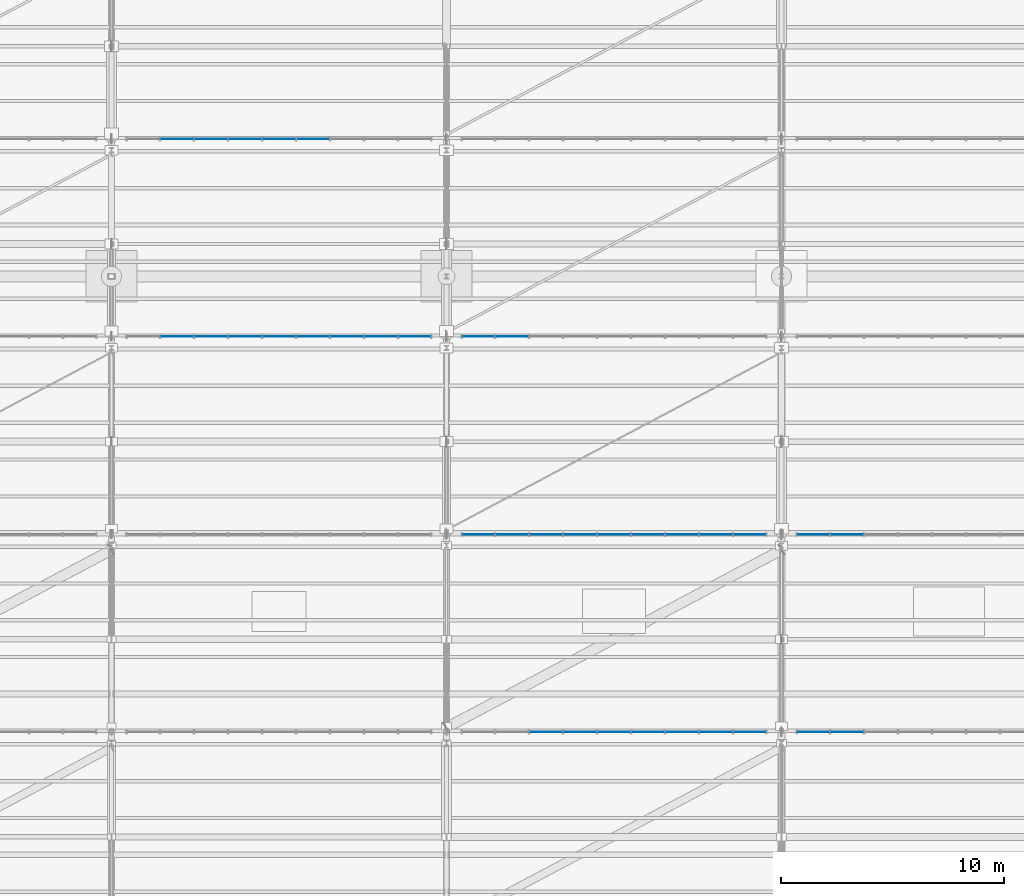
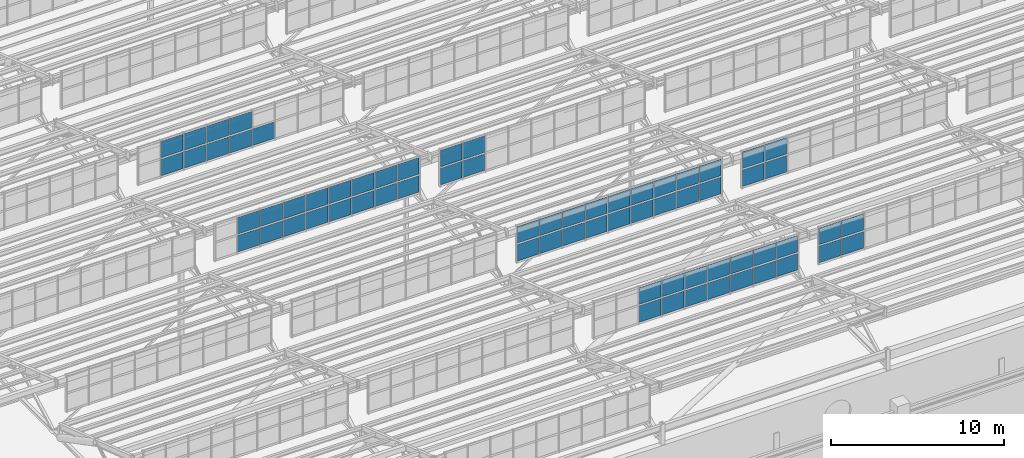
# One storey, part 166 of 285: 69 plates, 7 elements without a shape of their own.
"""IFC4 building model written with IfcOpenShell, lengths in metres."""

from ifc_helpers import new_model, si_unit, direction, frame, origin, origin_2d, place, context, subcontext, project, spatial, rectangle, extrude, material, layer, layer_set, type_object, element, aggregate, save


model = new_model("IFC4")

# Units and contexts
model_context = context("Model", 3, precision=1e-05, world=origin(), true_north=direction((0.0, 1.0)))
body_context = subcontext(model_context, "Body", "Model", "MODEL_VIEW")
ifc_project = project(units=[si_unit("LENGTHUNIT", "METRE"), si_unit("AREAUNIT", "SQUARE_METRE"), si_unit("VOLUMEUNIT", "CUBIC_METRE"), si_unit("PLANEANGLEUNIT", "RADIAN"), si_unit("MASSUNIT", "GRAM", prefix="KILO")], contexts=[model_context])

# Site, building, storey
site_placement = place(None, origin())
site = spatial("IfcSite", under=ifc_project, at=site_placement, CompositionType="ELEMENT")
building_placement = place(site_placement, origin())
building = spatial("IfcBuilding", under=site, at=building_placement, Name="Solanera Park Tramway Depot", CompositionType="ELEMENT")
storey_placement = place(building_placement, origin())
storey = spatial("IfcBuildingStorey", under=building, at=storey_placement, Name="L00", CompositionType="ELEMENT", Elevation=0.0)

# Curtain wall, plates
ifc_material_1 = material(Name="Bronze-anodised thermally broken aluminium curtain wall", Category="aluminium")
curtain_wall_type = type_object("IfcCurtainWallType", Name="Sawtooth Clerestory Monitor Curtain Wall", PredefinedType="NOTDEFINED", material=ifc_material_1)
curtain_wall_1_placement = place(storey_placement, origin())
curtain_wall_1 = element("IfcCurtainWall", 1, at=curtain_wall_1_placement, inside=storey, type_object=curtain_wall_type, Name="L00 Sawtooth Clerestory Monitor Curtain Wall #006", PredefinedType="NOTDEFINED")
ifc_material_2 = material(Name="Low-E laminated solar-control double glazing", Category="glass")
ifc_layer = layer(ifc_material_2, 0.028076171875)
ifc_layer_set = layer_set([ifc_layer], Name="Low-E laminated solar-control double glazing")
plate_type = type_object("IfcPlateType", Name="Curtain Wall Double Glazing Panel 28", PredefinedType="CURTAIN_PANEL", material=ifc_layer_set)
plate_1_placement = place(storey_placement, frame((49.45556640625, 64.60009765625, 7.862060546875), z_axis=(0.0, 0.0, 1.0), x_axis=(1.0, 0.0, 0.0)))
plate_1 = element("IfcPlate", 2, at=plate_1_placement, type_object=plate_type, Name="CW-L00-006 Glazing Panel R1.C3", PredefinedType="CURTAIN_PANEL", context=body_context, shape_type="SweptSolid", body=[
    extrude(rectangle(XDim=1.47021484375, YDim=0.028076171875, at=origin_2d()), origin(), (0.0, 0.0, 1.0), 1.16650390625),
])
plate_2_placement = place(storey_placement, frame((50.977783203125, 64.60009765625, 7.862060546875), z_axis=(0.0, 0.0, 1.0), x_axis=(1.0, 0.0, 0.0)))
plate_2 = element("IfcPlate", 3, at=plate_2_placement, type_object=plate_type, Name="CW-L00-006 Glazing Panel R1.C4", PredefinedType="CURTAIN_PANEL", context=body_context, shape_type="SweptSolid", body=[
    extrude(rectangle(XDim=1.47021484375, YDim=0.028076171875, at=origin_2d()), origin(), (0.0, 0.0, 1.0), 1.16650390625),
])
plate_3_placement = place(storey_placement, frame((52.5, 64.60009765625, 7.862060546875), z_axis=(0.0, 0.0, 1.0), x_axis=(1.0, 0.0, 0.0)))
plate_3 = element("IfcPlate", 4, at=plate_3_placement, type_object=plate_type, Name="CW-L00-006 Glazing Panel R1.C5", PredefinedType="CURTAIN_PANEL", context=body_context, shape_type="SweptSolid", body=[
    extrude(rectangle(XDim=1.47021484375, YDim=0.028076171875, at=origin_2d()), origin(), (0.0, 0.0, 1.0), 1.16650390625),
])
plate_4_placement = place(storey_placement, frame((54.022216796875, 64.60009765625, 7.862060546875), z_axis=(0.0, 0.0, 1.0), x_axis=(1.0, 0.0, 0.0)))
plate_4 = element("IfcPlate", 5, at=plate_4_placement, type_object=plate_type, Name="CW-L00-006 Glazing Panel R1.C6", PredefinedType="CURTAIN_PANEL", context=body_context, shape_type="SweptSolid", body=[
    extrude(rectangle(XDim=1.47021484375, YDim=0.028076171875, at=origin_2d()), origin(), (0.0, 0.0, 1.0), 1.16650390625),
])
plate_5_placement = place(storey_placement, frame((55.54443359375, 64.60009765625, 7.862060546875), z_axis=(0.0, 0.0, 1.0), x_axis=(1.0, 0.0, 0.0)))
plate_5 = element("IfcPlate", 6, at=plate_5_placement, type_object=plate_type, Name="CW-L00-006 Glazing Panel R1.C7", PredefinedType="CURTAIN_PANEL", context=body_context, shape_type="SweptSolid", body=[
    extrude(rectangle(XDim=1.47021484375, YDim=0.028076171875, at=origin_2d()), origin(), (0.0, 0.0, 1.0), 1.16650390625),
])
plate_6_placement = place(storey_placement, frame((57.066650390625, 64.60009765625, 7.862060546875), z_axis=(0.0, 0.0, 1.0), x_axis=(1.0, 0.0, 0.0)))
plate_6 = element("IfcPlate", 7, at=plate_6_placement, type_object=plate_type, Name="CW-L00-006 Glazing Panel R1.C8", PredefinedType="CURTAIN_PANEL", context=body_context, shape_type="SweptSolid", body=[
    extrude(rectangle(XDim=1.47021484375, YDim=0.028076171875, at=origin_2d()), origin(), (0.0, 0.0, 1.0), 1.16650390625),
])
plate_7_placement = place(storey_placement, frame((58.572509765625, 64.60009765625, 7.862060546875), z_axis=(0.0, 0.0, 1.0), x_axis=(1.0, 0.0, 0.0)))
plate_7 = element("IfcPlate", 8, at=plate_7_placement, type_object=plate_type, Name="CW-L00-006 Glazing Panel R1.C9", PredefinedType="CURTAIN_PANEL", context=body_context, shape_type="SweptSolid", body=[
    extrude(rectangle(XDim=1.437744140625, YDim=0.028076171875, at=origin_2d()), origin(), (0.0, 0.0, 1.0), 1.16650390625),
])
plate_8_placement = place(storey_placement, frame((49.45556640625, 64.60009765625, 9.132568359375), z_axis=(0.0, 0.0, 1.0), x_axis=(1.0, 0.0, 0.0)))
plate_8 = element("IfcPlate", 9, at=plate_8_placement, type_object=plate_type, Name="CW-L00-006 Glazing Panel R2.C3", PredefinedType="CURTAIN_PANEL", context=body_context, shape_type="SweptSolid", body=[
    extrude(rectangle(XDim=1.47021484375, YDim=0.028076171875, at=origin_2d()), origin(), (0.0, 0.0, 1.0), 1.16650390625),
])
plate_9_placement = place(storey_placement, frame((50.977783203125, 64.60009765625, 9.132568359375), z_axis=(0.0, 0.0, 1.0), x_axis=(1.0, 0.0, 0.0)))
plate_9 = element("IfcPlate", 10, at=plate_9_placement, type_object=plate_type, Name="CW-L00-006 Glazing Panel R2.C4", PredefinedType="CURTAIN_PANEL", context=body_context, shape_type="SweptSolid", body=[
    extrude(rectangle(XDim=1.47021484375, YDim=0.028076171875, at=origin_2d()), origin(), (0.0, 0.0, 1.0), 1.16650390625),
])
plate_10_placement = place(storey_placement, frame((52.5, 64.60009765625, 9.132568359375), z_axis=(0.0, 0.0, 1.0), x_axis=(1.0, 0.0, 0.0)))
plate_10 = element("IfcPlate", 11, at=plate_10_placement, type_object=plate_type, Name="CW-L00-006 Glazing Panel R2.C5", PredefinedType="CURTAIN_PANEL", context=body_context, shape_type="SweptSolid", body=[
    extrude(rectangle(XDim=1.47021484375, YDim=0.028076171875, at=origin_2d()), origin(), (0.0, 0.0, 1.0), 1.16650390625),
])
plate_11_placement = place(storey_placement, frame((54.022216796875, 64.60009765625, 9.132568359375), z_axis=(0.0, 0.0, 1.0), x_axis=(1.0, 0.0, 0.0)))
plate_11 = element("IfcPlate", 12, at=plate_11_placement, type_object=plate_type, Name="CW-L00-006 Glazing Panel R2.C6", PredefinedType="CURTAIN_PANEL", context=body_context, shape_type="SweptSolid", body=[
    extrude(rectangle(XDim=1.47021484375, YDim=0.028076171875, at=origin_2d()), origin(), (0.0, 0.0, 1.0), 1.16650390625),
])
plate_12_placement = place(storey_placement, frame((55.54443359375, 64.60009765625, 9.132568359375), z_axis=(0.0, 0.0, 1.0), x_axis=(1.0, 0.0, 0.0)))
plate_12 = element("IfcPlate", 13, at=plate_12_placement, type_object=plate_type, Name="CW-L00-006 Glazing Panel R2.C7", PredefinedType="CURTAIN_PANEL", context=body_context, shape_type="SweptSolid", body=[
    extrude(rectangle(XDim=1.47021484375, YDim=0.028076171875, at=origin_2d()), origin(), (0.0, 0.0, 1.0), 1.16650390625),
])
plate_13_placement = place(storey_placement, frame((57.066650390625, 64.60009765625, 9.132568359375), z_axis=(0.0, 0.0, 1.0), x_axis=(1.0, 0.0, 0.0)))
plate_13 = element("IfcPlate", 14, at=plate_13_placement, type_object=plate_type, Name="CW-L00-006 Glazing Panel R2.C8", PredefinedType="CURTAIN_PANEL", context=body_context, shape_type="SweptSolid", body=[
    extrude(rectangle(XDim=1.47021484375, YDim=0.028076171875, at=origin_2d()), origin(), (0.0, 0.0, 1.0), 1.16650390625),
])
plate_14_placement = place(storey_placement, frame((58.572509765625, 64.60009765625, 9.132568359375), z_axis=(0.0, 0.0, 1.0), x_axis=(1.0, 0.0, 0.0)))
plate_14 = element("IfcPlate", 15, at=plate_14_placement, type_object=plate_type, Name="CW-L00-006 Glazing Panel R2.C9", PredefinedType="CURTAIN_PANEL", context=body_context, shape_type="SweptSolid", body=[
    extrude(rectangle(XDim=1.437744140625, YDim=0.028076171875, at=origin_2d()), origin(), (0.0, 0.0, 1.0), 1.16650390625),
])
aggregate(curtain_wall_1, [plate_1, plate_2, plate_3, plate_4, plate_5, plate_6, plate_7, plate_8, plate_9, plate_10, plate_11, plate_12, plate_13, plate_14])

curtain_wall_2_placement = place(storey_placement, origin())
curtain_wall_2 = element("IfcCurtainWall", 16, at=curtain_wall_2_placement, inside=storey, type_object=curtain_wall_type, Name="L00 Sawtooth Clerestory Monitor Curtain Wall #007", PredefinedType="NOTDEFINED")
plate_15_placement = place(storey_placement, frame((61.427490234375, 64.60009765625, 7.862060546875), z_axis=(0.0, 0.0, 1.0), x_axis=(1.0, 0.0, 0.0)))
plate_15 = element("IfcPlate", 17, at=plate_15_placement, type_object=plate_type, Name="CW-L00-007 Glazing Panel R1.C1", PredefinedType="CURTAIN_PANEL", context=body_context, shape_type="SweptSolid", body=[
    extrude(rectangle(XDim=1.437744140625, YDim=0.028076171875, at=origin_2d()), origin(), (0.0, 0.0, 1.0), 1.16650390625),
])
plate_16_placement = place(storey_placement, frame((62.933349609375, 64.60009765625, 7.862060546875), z_axis=(0.0, 0.0, 1.0), x_axis=(1.0, 0.0, 0.0)))
plate_16 = element("IfcPlate", 18, at=plate_16_placement, type_object=plate_type, Name="CW-L00-007 Glazing Panel R1.C2", PredefinedType="CURTAIN_PANEL", context=body_context, shape_type="SweptSolid", body=[
    extrude(rectangle(XDim=1.47021484375, YDim=0.028076171875, at=origin_2d()), origin(), (0.0, 0.0, 1.0), 1.16650390625),
])
plate_17_placement = place(storey_placement, frame((61.427490234375, 64.60009765625, 9.132568359375), z_axis=(0.0, 0.0, 1.0), x_axis=(1.0, 0.0, 0.0)))
plate_17 = element("IfcPlate", 19, at=plate_17_placement, type_object=plate_type, Name="CW-L00-007 Glazing Panel R2.C1", PredefinedType="CURTAIN_PANEL", context=body_context, shape_type="SweptSolid", body=[
    extrude(rectangle(XDim=1.437744140625, YDim=0.028076171875, at=origin_2d()), origin(), (0.0, 0.0, 1.0), 1.16650390625),
])
plate_18_placement = place(storey_placement, frame((62.933349609375, 64.60009765625, 9.132568359375), z_axis=(0.0, 0.0, 1.0), x_axis=(1.0, 0.0, 0.0)))
plate_18 = element("IfcPlate", 20, at=plate_18_placement, type_object=plate_type, Name="CW-L00-007 Glazing Panel R2.C2", PredefinedType="CURTAIN_PANEL", context=body_context, shape_type="SweptSolid", body=[
    extrude(rectangle(XDim=1.47021484375, YDim=0.028076171875, at=origin_2d()), origin(), (0.0, 0.0, 1.0), 1.16650390625),
])
aggregate(curtain_wall_2, [plate_15, plate_16, plate_17, plate_18])

curtain_wall_3_placement = place(storey_placement, origin())
curtain_wall_3 = element("IfcCurtainWall", 21, at=curtain_wall_3_placement, inside=storey, type_object=curtain_wall_type, Name="L00 Sawtooth Clerestory Monitor Curtain Wall #014", PredefinedType="NOTDEFINED")
plate_19_placement = place(storey_placement, frame((46.427490234375, 73.449951171875, 7.862060546875), z_axis=(0.0, 0.0, 1.0), x_axis=(1.0, 0.0, 0.0)))
plate_19 = element("IfcPlate", 22, at=plate_19_placement, type_object=plate_type, Name="CW-L00-014 Glazing Panel R1.C1", PredefinedType="CURTAIN_PANEL", context=body_context, shape_type="SweptSolid", body=[
    extrude(rectangle(XDim=1.437744140625, YDim=0.028076171875, at=origin_2d()), origin(), (0.0, 0.0, 1.0), 1.16650390625),
])
plate_20_placement = place(storey_placement, frame((47.933349609375, 73.449951171875, 7.862060546875), z_axis=(0.0, 0.0, 1.0), x_axis=(1.0, 0.0, 0.0)))
plate_20 = element("IfcPlate", 23, at=plate_20_placement, type_object=plate_type, Name="CW-L00-014 Glazing Panel R1.C2", PredefinedType="CURTAIN_PANEL", context=body_context, shape_type="SweptSolid", body=[
    extrude(rectangle(XDim=1.47021484375, YDim=0.028076171875, at=origin_2d()), origin(), (0.0, 0.0, 1.0), 1.16650390625),
])
plate_21_placement = place(storey_placement, frame((49.45556640625, 73.449951171875, 7.862060546875), z_axis=(0.0, 0.0, 1.0), x_axis=(1.0, 0.0, 0.0)))
plate_21 = element("IfcPlate", 24, at=plate_21_placement, type_object=plate_type, Name="CW-L00-014 Glazing Panel R1.C3", PredefinedType="CURTAIN_PANEL", context=body_context, shape_type="SweptSolid", body=[
    extrude(rectangle(XDim=1.47021484375, YDim=0.028076171875, at=origin_2d()), origin(), (0.0, 0.0, 1.0), 1.16650390625),
])
plate_22_placement = place(storey_placement, frame((50.977783203125, 73.449951171875, 7.862060546875), z_axis=(0.0, 0.0, 1.0), x_axis=(1.0, 0.0, 0.0)))
plate_22 = element("IfcPlate", 25, at=plate_22_placement, type_object=plate_type, Name="CW-L00-014 Glazing Panel R1.C4", PredefinedType="CURTAIN_PANEL", context=body_context, shape_type="SweptSolid", body=[
    extrude(rectangle(XDim=1.47021484375, YDim=0.028076171875, at=origin_2d()), origin(), (0.0, 0.0, 1.0), 1.16650390625),
])
plate_23_placement = place(storey_placement, frame((52.5, 73.449951171875, 7.862060546875), z_axis=(0.0, 0.0, 1.0), x_axis=(1.0, 0.0, 0.0)))
plate_23 = element("IfcPlate", 26, at=plate_23_placement, type_object=plate_type, Name="CW-L00-014 Glazing Panel R1.C5", PredefinedType="CURTAIN_PANEL", context=body_context, shape_type="SweptSolid", body=[
    extrude(rectangle(XDim=1.47021484375, YDim=0.028076171875, at=origin_2d()), origin(), (0.0, 0.0, 1.0), 1.16650390625),
])
plate_24_placement = place(storey_placement, frame((54.022216796875, 73.449951171875, 7.862060546875), z_axis=(0.0, 0.0, 1.0), x_axis=(1.0, 0.0, 0.0)))
plate_24 = element("IfcPlate", 27, at=plate_24_placement, type_object=plate_type, Name="CW-L00-014 Glazing Panel R1.C6", PredefinedType="CURTAIN_PANEL", context=body_context, shape_type="SweptSolid", body=[
    extrude(rectangle(XDim=1.47021484375, YDim=0.028076171875, at=origin_2d()), origin(), (0.0, 0.0, 1.0), 1.16650390625),
])
plate_25_placement = place(storey_placement, frame((55.54443359375, 73.449951171875, 7.862060546875), z_axis=(0.0, 0.0, 1.0), x_axis=(1.0, 0.0, 0.0)))
plate_25 = element("IfcPlate", 28, at=plate_25_placement, type_object=plate_type, Name="CW-L00-014 Glazing Panel R1.C7", PredefinedType="CURTAIN_PANEL", context=body_context, shape_type="SweptSolid", body=[
    extrude(rectangle(XDim=1.47021484375, YDim=0.028076171875, at=origin_2d()), origin(), (0.0, 0.0, 1.0), 1.16650390625),
])
plate_26_placement = place(storey_placement, frame((57.066650390625, 73.449951171875, 7.862060546875), z_axis=(0.0, 0.0, 1.0), x_axis=(1.0, 0.0, 0.0)))
plate_26 = element("IfcPlate", 29, at=plate_26_placement, type_object=plate_type, Name="CW-L00-014 Glazing Panel R1.C8", PredefinedType="CURTAIN_PANEL", context=body_context, shape_type="SweptSolid", body=[
    extrude(rectangle(XDim=1.47021484375, YDim=0.028076171875, at=origin_2d()), origin(), (0.0, 0.0, 1.0), 1.16650390625),
])
plate_27_placement = place(storey_placement, frame((58.572509765625, 73.449951171875, 7.862060546875), z_axis=(0.0, 0.0, 1.0), x_axis=(1.0, 0.0, 0.0)))
plate_27 = element("IfcPlate", 30, at=plate_27_placement, type_object=plate_type, Name="CW-L00-014 Glazing Panel R1.C9", PredefinedType="CURTAIN_PANEL", context=body_context, shape_type="SweptSolid", body=[
    extrude(rectangle(XDim=1.437744140625, YDim=0.028076171875, at=origin_2d()), origin(), (0.0, 0.0, 1.0), 1.16650390625),
])
plate_28_placement = place(storey_placement, frame((46.427490234375, 73.449951171875, 9.132568359375), z_axis=(0.0, 0.0, 1.0), x_axis=(1.0, 0.0, 0.0)))
plate_28 = element("IfcPlate", 31, at=plate_28_placement, type_object=plate_type, Name="CW-L00-014 Glazing Panel R2.C1", PredefinedType="CURTAIN_PANEL", context=body_context, shape_type="SweptSolid", body=[
    extrude(rectangle(XDim=1.437744140625, YDim=0.028076171875, at=origin_2d()), origin(), (0.0, 0.0, 1.0), 1.16650390625),
])
plate_29_placement = place(storey_placement, frame((47.933349609375, 73.449951171875, 9.132568359375), z_axis=(0.0, 0.0, 1.0), x_axis=(1.0, 0.0, 0.0)))
plate_29 = element("IfcPlate", 32, at=plate_29_placement, type_object=plate_type, Name="CW-L00-014 Glazing Panel R2.C2", PredefinedType="CURTAIN_PANEL", context=body_context, shape_type="SweptSolid", body=[
    extrude(rectangle(XDim=1.47021484375, YDim=0.028076171875, at=origin_2d()), origin(), (0.0, 0.0, 1.0), 1.16650390625),
])
plate_30_placement = place(storey_placement, frame((49.45556640625, 73.449951171875, 9.132568359375), z_axis=(0.0, 0.0, 1.0), x_axis=(1.0, 0.0, 0.0)))
plate_30 = element("IfcPlate", 33, at=plate_30_placement, type_object=plate_type, Name="CW-L00-014 Glazing Panel R2.C3", PredefinedType="CURTAIN_PANEL", context=body_context, shape_type="SweptSolid", body=[
    extrude(rectangle(XDim=1.47021484375, YDim=0.028076171875, at=origin_2d()), origin(), (0.0, 0.0, 1.0), 1.16650390625),
])
plate_31_placement = place(storey_placement, frame((50.977783203125, 73.449951171875, 9.132568359375), z_axis=(0.0, 0.0, 1.0), x_axis=(1.0, 0.0, 0.0)))
plate_31 = element("IfcPlate", 34, at=plate_31_placement, type_object=plate_type, Name="CW-L00-014 Glazing Panel R2.C4", PredefinedType="CURTAIN_PANEL", context=body_context, shape_type="SweptSolid", body=[
    extrude(rectangle(XDim=1.47021484375, YDim=0.028076171875, at=origin_2d()), origin(), (0.0, 0.0, 1.0), 1.16650390625),
])
plate_32_placement = place(storey_placement, frame((52.5, 73.449951171875, 9.132568359375), z_axis=(0.0, 0.0, 1.0), x_axis=(1.0, 0.0, 0.0)))
plate_32 = element("IfcPlate", 35, at=plate_32_placement, type_object=plate_type, Name="CW-L00-014 Glazing Panel R2.C5", PredefinedType="CURTAIN_PANEL", context=body_context, shape_type="SweptSolid", body=[
    extrude(rectangle(XDim=1.47021484375, YDim=0.028076171875, at=origin_2d()), origin(), (0.0, 0.0, 1.0), 1.16650390625),
])
plate_33_placement = place(storey_placement, frame((54.022216796875, 73.449951171875, 9.132568359375), z_axis=(0.0, 0.0, 1.0), x_axis=(1.0, 0.0, 0.0)))
plate_33 = element("IfcPlate", 36, at=plate_33_placement, type_object=plate_type, Name="CW-L00-014 Glazing Panel R2.C6", PredefinedType="CURTAIN_PANEL", context=body_context, shape_type="SweptSolid", body=[
    extrude(rectangle(XDim=1.47021484375, YDim=0.028076171875, at=origin_2d()), origin(), (0.0, 0.0, 1.0), 1.16650390625),
])
plate_34_placement = place(storey_placement, frame((55.54443359375, 73.449951171875, 9.132568359375), z_axis=(0.0, 0.0, 1.0), x_axis=(1.0, 0.0, 0.0)))
plate_34 = element("IfcPlate", 37, at=plate_34_placement, type_object=plate_type, Name="CW-L00-014 Glazing Panel R2.C7", PredefinedType="CURTAIN_PANEL", context=body_context, shape_type="SweptSolid", body=[
    extrude(rectangle(XDim=1.47021484375, YDim=0.028076171875, at=origin_2d()), origin(), (0.0, 0.0, 1.0), 1.16650390625),
])
plate_35_placement = place(storey_placement, frame((57.066650390625, 73.449951171875, 9.132568359375), z_axis=(0.0, 0.0, 1.0), x_axis=(1.0, 0.0, 0.0)))
plate_35 = element("IfcPlate", 38, at=plate_35_placement, type_object=plate_type, Name="CW-L00-014 Glazing Panel R2.C8", PredefinedType="CURTAIN_PANEL", context=body_context, shape_type="SweptSolid", body=[
    extrude(rectangle(XDim=1.47021484375, YDim=0.028076171875, at=origin_2d()), origin(), (0.0, 0.0, 1.0), 1.16650390625),
])
plate_36_placement = place(storey_placement, frame((58.572509765625, 73.449951171875, 9.132568359375), z_axis=(0.0, 0.0, 1.0), x_axis=(1.0, 0.0, 0.0)))
plate_36 = element("IfcPlate", 39, at=plate_36_placement, type_object=plate_type, Name="CW-L00-014 Glazing Panel R2.C9", PredefinedType="CURTAIN_PANEL", context=body_context, shape_type="SweptSolid", body=[
    extrude(rectangle(XDim=1.437744140625, YDim=0.028076171875, at=origin_2d()), origin(), (0.0, 0.0, 1.0), 1.16650390625),
])
aggregate(curtain_wall_3, [plate_19, plate_20, plate_21, plate_22, plate_23, plate_24, plate_25, plate_26, plate_27, plate_28, plate_29, plate_30, plate_31, plate_32, plate_33, plate_34, plate_35, plate_36])

curtain_wall_4_placement = place(storey_placement, origin())
curtain_wall_4 = element("IfcCurtainWall", 40, at=curtain_wall_4_placement, inside=storey, type_object=curtain_wall_type, Name="L00 Sawtooth Clerestory Monitor Curtain Wall #015", PredefinedType="NOTDEFINED")
plate_37_placement = place(storey_placement, frame((61.427490234375, 73.449951171875, 7.862060546875), z_axis=(0.0, 0.0, 1.0), x_axis=(1.0, 0.0, 0.0)))
plate_37 = element("IfcPlate", 41, at=plate_37_placement, type_object=plate_type, Name="CW-L00-015 Glazing Panel R1.C1", PredefinedType="CURTAIN_PANEL", context=body_context, shape_type="SweptSolid", body=[
    extrude(rectangle(XDim=1.437744140625, YDim=0.028076171875, at=origin_2d()), origin(), (0.0, 0.0, 1.0), 1.16650390625),
])
plate_38_placement = place(storey_placement, frame((62.933349609375, 73.449951171875, 7.862060546875), z_axis=(0.0, 0.0, 1.0), x_axis=(1.0, 0.0, 0.0)))
plate_38 = element("IfcPlate", 42, at=plate_38_placement, type_object=plate_type, Name="CW-L00-015 Glazing Panel R1.C2", PredefinedType="CURTAIN_PANEL", context=body_context, shape_type="SweptSolid", body=[
    extrude(rectangle(XDim=1.47021484375, YDim=0.028076171875, at=origin_2d()), origin(), (0.0, 0.0, 1.0), 1.16650390625),
])
plate_39_placement = place(storey_placement, frame((61.427490234375, 73.449951171875, 9.132568359375), z_axis=(0.0, 0.0, 1.0), x_axis=(1.0, 0.0, 0.0)))
plate_39 = element("IfcPlate", 43, at=plate_39_placement, type_object=plate_type, Name="CW-L00-015 Glazing Panel R2.C1", PredefinedType="CURTAIN_PANEL", context=body_context, shape_type="SweptSolid", body=[
    extrude(rectangle(XDim=1.437744140625, YDim=0.028076171875, at=origin_2d()), origin(), (0.0, 0.0, 1.0), 1.16650390625),
])
plate_40_placement = place(storey_placement, frame((62.933349609375, 73.449951171875, 9.132568359375), z_axis=(0.0, 0.0, 1.0), x_axis=(1.0, 0.0, 0.0)))
plate_40 = element("IfcPlate", 44, at=plate_40_placement, type_object=plate_type, Name="CW-L00-015 Glazing Panel R2.C2", PredefinedType="CURTAIN_PANEL", context=body_context, shape_type="SweptSolid", body=[
    extrude(rectangle(XDim=1.47021484375, YDim=0.028076171875, at=origin_2d()), origin(), (0.0, 0.0, 1.0), 1.16650390625),
])
aggregate(curtain_wall_4, [plate_37, plate_38, plate_39, plate_40])

curtain_wall_5_placement = place(storey_placement, origin())
curtain_wall_5 = element("IfcCurtainWall", 45, at=curtain_wall_5_placement, inside=storey, type_object=curtain_wall_type, Name="L00 Sawtooth Clerestory Monitor Curtain Wall #021", PredefinedType="NOTDEFINED")
plate_41_placement = place(storey_placement, frame((32.933349609375, 82.300048828125, 7.862060546875), z_axis=(0.0, 0.0, 1.0), x_axis=(1.0, 0.0, 0.0)))
plate_41 = element("IfcPlate", 46, at=plate_41_placement, type_object=plate_type, Name="CW-L00-021 Glazing Panel R1.C2", PredefinedType="CURTAIN_PANEL", context=body_context, shape_type="SweptSolid", body=[
    extrude(rectangle(XDim=1.47021484375, YDim=0.028076171875, at=origin_2d()), origin(), (0.0, 0.0, 1.0), 1.16650390625),
])
plate_42_placement = place(storey_placement, frame((34.45556640625, 82.300048828125, 7.862060546875), z_axis=(0.0, 0.0, 1.0), x_axis=(1.0, 0.0, 0.0)))
plate_42 = element("IfcPlate", 47, at=plate_42_placement, type_object=plate_type, Name="CW-L00-021 Glazing Panel R1.C3", PredefinedType="CURTAIN_PANEL", context=body_context, shape_type="SweptSolid", body=[
    extrude(rectangle(XDim=1.47021484375, YDim=0.028076171875, at=origin_2d()), origin(), (0.0, 0.0, 1.0), 1.16650390625),
])
plate_43_placement = place(storey_placement, frame((35.977783203125, 82.300048828125, 7.862060546875), z_axis=(0.0, 0.0, 1.0), x_axis=(1.0, 0.0, 0.0)))
plate_43 = element("IfcPlate", 48, at=plate_43_placement, type_object=plate_type, Name="CW-L00-021 Glazing Panel R1.C4", PredefinedType="CURTAIN_PANEL", context=body_context, shape_type="SweptSolid", body=[
    extrude(rectangle(XDim=1.47021484375, YDim=0.028076171875, at=origin_2d()), origin(), (0.0, 0.0, 1.0), 1.16650390625),
])
plate_44_placement = place(storey_placement, frame((37.5, 82.300048828125, 7.862060546875), z_axis=(0.0, 0.0, 1.0), x_axis=(1.0, 0.0, 0.0)))
plate_44 = element("IfcPlate", 49, at=plate_44_placement, type_object=plate_type, Name="CW-L00-021 Glazing Panel R1.C5", PredefinedType="CURTAIN_PANEL", context=body_context, shape_type="SweptSolid", body=[
    extrude(rectangle(XDim=1.47021484375, YDim=0.028076171875, at=origin_2d()), origin(), (0.0, 0.0, 1.0), 1.16650390625),
])
plate_45_placement = place(storey_placement, frame((39.022216796875, 82.300048828125, 7.862060546875), z_axis=(0.0, 0.0, 1.0), x_axis=(1.0, 0.0, 0.0)))
plate_45 = element("IfcPlate", 50, at=plate_45_placement, type_object=plate_type, Name="CW-L00-021 Glazing Panel R1.C6", PredefinedType="CURTAIN_PANEL", context=body_context, shape_type="SweptSolid", body=[
    extrude(rectangle(XDim=1.47021484375, YDim=0.028076171875, at=origin_2d()), origin(), (0.0, 0.0, 1.0), 1.16650390625),
])
plate_46_placement = place(storey_placement, frame((40.54443359375, 82.300048828125, 7.862060546875), z_axis=(0.0, 0.0, 1.0), x_axis=(1.0, 0.0, 0.0)))
plate_46 = element("IfcPlate", 51, at=plate_46_placement, type_object=plate_type, Name="CW-L00-021 Glazing Panel R1.C7", PredefinedType="CURTAIN_PANEL", context=body_context, shape_type="SweptSolid", body=[
    extrude(rectangle(XDim=1.47021484375, YDim=0.028076171875, at=origin_2d()), origin(), (0.0, 0.0, 1.0), 1.16650390625),
])
plate_47_placement = place(storey_placement, frame((42.066650390625, 82.300048828125, 7.862060546875), z_axis=(0.0, 0.0, 1.0), x_axis=(1.0, 0.0, 0.0)))
plate_47 = element("IfcPlate", 52, at=plate_47_placement, type_object=plate_type, Name="CW-L00-021 Glazing Panel R1.C8", PredefinedType="CURTAIN_PANEL", context=body_context, shape_type="SweptSolid", body=[
    extrude(rectangle(XDim=1.47021484375, YDim=0.028076171875, at=origin_2d()), origin(), (0.0, 0.0, 1.0), 1.16650390625),
])
plate_48_placement = place(storey_placement, frame((43.572509765625, 82.300048828125, 7.862060546875), z_axis=(0.0, 0.0, 1.0), x_axis=(1.0, 0.0, 0.0)))
plate_48 = element("IfcPlate", 53, at=plate_48_placement, type_object=plate_type, Name="CW-L00-021 Glazing Panel R1.C9", PredefinedType="CURTAIN_PANEL", context=body_context, shape_type="SweptSolid", body=[
    extrude(rectangle(XDim=1.437744140625, YDim=0.028076171875, at=origin_2d()), origin(), (0.0, 0.0, 1.0), 1.16650390625),
])
plate_49_placement = place(storey_placement, frame((32.933349609375, 82.300048828125, 9.132568359375), z_axis=(0.0, 0.0, 1.0), x_axis=(1.0, 0.0, 0.0)))
plate_49 = element("IfcPlate", 54, at=plate_49_placement, type_object=plate_type, Name="CW-L00-021 Glazing Panel R2.C2", PredefinedType="CURTAIN_PANEL", context=body_context, shape_type="SweptSolid", body=[
    extrude(rectangle(XDim=1.47021484375, YDim=0.028076171875, at=origin_2d()), origin(), (0.0, 0.0, 1.0), 1.16650390625),
])
plate_50_placement = place(storey_placement, frame((34.45556640625, 82.300048828125, 9.132568359375), z_axis=(0.0, 0.0, 1.0), x_axis=(1.0, 0.0, 0.0)))
plate_50 = element("IfcPlate", 55, at=plate_50_placement, type_object=plate_type, Name="CW-L00-021 Glazing Panel R2.C3", PredefinedType="CURTAIN_PANEL", context=body_context, shape_type="SweptSolid", body=[
    extrude(rectangle(XDim=1.47021484375, YDim=0.028076171875, at=origin_2d()), origin(), (0.0, 0.0, 1.0), 1.16650390625),
])
plate_51_placement = place(storey_placement, frame((35.977783203125, 82.300048828125, 9.132568359375), z_axis=(0.0, 0.0, 1.0), x_axis=(1.0, 0.0, 0.0)))
plate_51 = element("IfcPlate", 56, at=plate_51_placement, type_object=plate_type, Name="CW-L00-021 Glazing Panel R2.C4", PredefinedType="CURTAIN_PANEL", context=body_context, shape_type="SweptSolid", body=[
    extrude(rectangle(XDim=1.47021484375, YDim=0.028076171875, at=origin_2d()), origin(), (0.0, 0.0, 1.0), 1.16650390625),
])
plate_52_placement = place(storey_placement, frame((37.5, 82.300048828125, 9.132568359375), z_axis=(0.0, 0.0, 1.0), x_axis=(1.0, 0.0, 0.0)))
plate_52 = element("IfcPlate", 57, at=plate_52_placement, type_object=plate_type, Name="CW-L00-021 Glazing Panel R2.C5", PredefinedType="CURTAIN_PANEL", context=body_context, shape_type="SweptSolid", body=[
    extrude(rectangle(XDim=1.47021484375, YDim=0.028076171875, at=origin_2d()), origin(), (0.0, 0.0, 1.0), 1.16650390625),
])
plate_53_placement = place(storey_placement, frame((39.022216796875, 82.300048828125, 9.132568359375), z_axis=(0.0, 0.0, 1.0), x_axis=(1.0, 0.0, 0.0)))
plate_53 = element("IfcPlate", 58, at=plate_53_placement, type_object=plate_type, Name="CW-L00-021 Glazing Panel R2.C6", PredefinedType="CURTAIN_PANEL", context=body_context, shape_type="SweptSolid", body=[
    extrude(rectangle(XDim=1.47021484375, YDim=0.028076171875, at=origin_2d()), origin(), (0.0, 0.0, 1.0), 1.16650390625),
])
plate_54_placement = place(storey_placement, frame((40.54443359375, 82.300048828125, 9.132568359375), z_axis=(0.0, 0.0, 1.0), x_axis=(1.0, 0.0, 0.0)))
plate_54 = element("IfcPlate", 59, at=plate_54_placement, type_object=plate_type, Name="CW-L00-021 Glazing Panel R2.C7", PredefinedType="CURTAIN_PANEL", context=body_context, shape_type="SweptSolid", body=[
    extrude(rectangle(XDim=1.47021484375, YDim=0.028076171875, at=origin_2d()), origin(), (0.0, 0.0, 1.0), 1.16650390625),
])
plate_55_placement = place(storey_placement, frame((42.066650390625, 82.300048828125, 9.132568359375), z_axis=(0.0, 0.0, 1.0), x_axis=(1.0, 0.0, 0.0)))
plate_55 = element("IfcPlate", 60, at=plate_55_placement, type_object=plate_type, Name="CW-L00-021 Glazing Panel R2.C8", PredefinedType="CURTAIN_PANEL", context=body_context, shape_type="SweptSolid", body=[
    extrude(rectangle(XDim=1.47021484375, YDim=0.028076171875, at=origin_2d()), origin(), (0.0, 0.0, 1.0), 1.16650390625),
])
plate_56_placement = place(storey_placement, frame((43.572509765625, 82.300048828125, 9.132568359375), z_axis=(0.0, 0.0, 1.0), x_axis=(1.0, 0.0, 0.0)))
plate_56 = element("IfcPlate", 61, at=plate_56_placement, type_object=plate_type, Name="CW-L00-021 Glazing Panel R2.C9", PredefinedType="CURTAIN_PANEL", context=body_context, shape_type="SweptSolid", body=[
    extrude(rectangle(XDim=1.437744140625, YDim=0.028076171875, at=origin_2d()), origin(), (0.0, 0.0, 1.0), 1.16650390625),
])
aggregate(curtain_wall_5, [plate_41, plate_42, plate_43, plate_44, plate_45, plate_46, plate_47, plate_48, plate_49, plate_50, plate_51, plate_52, plate_53, plate_54, plate_55, plate_56])

curtain_wall_6_placement = place(storey_placement, origin())
curtain_wall_6 = element("IfcCurtainWall", 62, at=curtain_wall_6_placement, inside=storey, type_object=curtain_wall_type, Name="L00 Sawtooth Clerestory Monitor Curtain Wall #022", PredefinedType="NOTDEFINED")
plate_57_placement = place(storey_placement, frame((46.427490234375, 82.300048828125, 7.862060546875), z_axis=(0.0, 0.0, 1.0), x_axis=(1.0, 0.0, 0.0)))
plate_57 = element("IfcPlate", 63, at=plate_57_placement, type_object=plate_type, Name="CW-L00-022 Glazing Panel R1.C1", PredefinedType="CURTAIN_PANEL", context=body_context, shape_type="SweptSolid", body=[
    extrude(rectangle(XDim=1.437744140625, YDim=0.028076171875, at=origin_2d()), origin(), (0.0, 0.0, 1.0), 1.16650390625),
])
plate_58_placement = place(storey_placement, frame((47.933349609375, 82.300048828125, 7.862060546875), z_axis=(0.0, 0.0, 1.0), x_axis=(1.0, 0.0, 0.0)))
plate_58 = element("IfcPlate", 64, at=plate_58_placement, type_object=plate_type, Name="CW-L00-022 Glazing Panel R1.C2", PredefinedType="CURTAIN_PANEL", context=body_context, shape_type="SweptSolid", body=[
    extrude(rectangle(XDim=1.47021484375, YDim=0.028076171875, at=origin_2d()), origin(), (0.0, 0.0, 1.0), 1.16650390625),
])
plate_59_placement = place(storey_placement, frame((46.427490234375, 82.300048828125, 9.132568359375), z_axis=(0.0, 0.0, 1.0), x_axis=(1.0, 0.0, 0.0)))
plate_59 = element("IfcPlate", 65, at=plate_59_placement, type_object=plate_type, Name="CW-L00-022 Glazing Panel R2.C1", PredefinedType="CURTAIN_PANEL", context=body_context, shape_type="SweptSolid", body=[
    extrude(rectangle(XDim=1.437744140625, YDim=0.028076171875, at=origin_2d()), origin(), (0.0, 0.0, 1.0), 1.16650390625),
])
plate_60_placement = place(storey_placement, frame((47.933349609375, 82.300048828125, 9.132568359375), z_axis=(0.0, 0.0, 1.0), x_axis=(1.0, 0.0, 0.0)))
plate_60 = element("IfcPlate", 66, at=plate_60_placement, type_object=plate_type, Name="CW-L00-022 Glazing Panel R2.C2", PredefinedType="CURTAIN_PANEL", context=body_context, shape_type="SweptSolid", body=[
    extrude(rectangle(XDim=1.47021484375, YDim=0.028076171875, at=origin_2d()), origin(), (0.0, 0.0, 1.0), 1.16650390625),
])
aggregate(curtain_wall_6, [plate_57, plate_58, plate_59, plate_60])

curtain_wall_7_placement = place(storey_placement, origin())
curtain_wall_7 = element("IfcCurtainWall", 67, at=curtain_wall_7_placement, inside=storey, type_object=curtain_wall_type, Name="L00 Sawtooth Clerestory Monitor Curtain Wall #029", PredefinedType="NOTDEFINED")
plate_61_placement = place(storey_placement, frame((32.933349609375, 91.14990234375, 7.862060546875), z_axis=(0.0, 0.0, 1.0), x_axis=(1.0, 0.0, 0.0)))
plate_61 = element("IfcPlate", 68, at=plate_61_placement, type_object=plate_type, Name="CW-L00-029 Glazing Panel R1.C2", PredefinedType="CURTAIN_PANEL", context=body_context, shape_type="SweptSolid", body=[
    extrude(rectangle(XDim=1.47021484375, YDim=0.028076171875, at=origin_2d()), origin(), (0.0, 0.0, 1.0), 1.16650390625),
])
plate_62_placement = place(storey_placement, frame((34.45556640625, 91.14990234375, 7.862060546875), z_axis=(0.0, 0.0, 1.0), x_axis=(1.0, 0.0, 0.0)))
plate_62 = element("IfcPlate", 69, at=plate_62_placement, type_object=plate_type, Name="CW-L00-029 Glazing Panel R1.C3", PredefinedType="CURTAIN_PANEL", context=body_context, shape_type="SweptSolid", body=[
    extrude(rectangle(XDim=1.47021484375, YDim=0.028076171875, at=origin_2d()), origin(), (0.0, 0.0, 1.0), 1.16650390625),
])
plate_63_placement = place(storey_placement, frame((35.977783203125, 91.14990234375, 7.862060546875), z_axis=(0.0, 0.0, 1.0), x_axis=(1.0, 0.0, 0.0)))
plate_63 = element("IfcPlate", 70, at=plate_63_placement, type_object=plate_type, Name="CW-L00-029 Glazing Panel R1.C4", PredefinedType="CURTAIN_PANEL", context=body_context, shape_type="SweptSolid", body=[
    extrude(rectangle(XDim=1.47021484375, YDim=0.028076171875, at=origin_2d()), origin(), (0.0, 0.0, 1.0), 1.16650390625),
])
plate_64_placement = place(storey_placement, frame((37.5, 91.14990234375, 7.862060546875), z_axis=(0.0, 0.0, 1.0), x_axis=(1.0, 0.0, 0.0)))
plate_64 = element("IfcPlate", 71, at=plate_64_placement, type_object=plate_type, Name="CW-L00-029 Glazing Panel R1.C5", PredefinedType="CURTAIN_PANEL", context=body_context, shape_type="SweptSolid", body=[
    extrude(rectangle(XDim=1.47021484375, YDim=0.028076171875, at=origin_2d()), origin(), (0.0, 0.0, 1.0), 1.16650390625),
])
plate_65_placement = place(storey_placement, frame((39.022216796875, 91.14990234375, 7.862060546875), z_axis=(0.0, 0.0, 1.0), x_axis=(1.0, 0.0, 0.0)))
plate_65 = element("IfcPlate", 72, at=plate_65_placement, type_object=plate_type, Name="CW-L00-029 Glazing Panel R1.C6", PredefinedType="CURTAIN_PANEL", context=body_context, shape_type="SweptSolid", body=[
    extrude(rectangle(XDim=1.47021484375, YDim=0.028076171875, at=origin_2d()), origin(), (0.0, 0.0, 1.0), 1.16650390625),
])
plate_66_placement = place(storey_placement, frame((32.933349609375, 91.14990234375, 9.132568359375), z_axis=(0.0, 0.0, 1.0), x_axis=(1.0, 0.0, 0.0)))
plate_66 = element("IfcPlate", 73, at=plate_66_placement, type_object=plate_type, Name="CW-L00-029 Glazing Panel R2.C2", PredefinedType="CURTAIN_PANEL", context=body_context, shape_type="SweptSolid", body=[
    extrude(rectangle(XDim=1.47021484375, YDim=0.028076171875, at=origin_2d()), origin(), (0.0, 0.0, 1.0), 1.16650390625),
])
plate_67_placement = place(storey_placement, frame((34.45556640625, 91.14990234375, 9.132568359375), z_axis=(0.0, 0.0, 1.0), x_axis=(1.0, 0.0, 0.0)))
plate_67 = element("IfcPlate", 74, at=plate_67_placement, type_object=plate_type, Name="CW-L00-029 Glazing Panel R2.C3", PredefinedType="CURTAIN_PANEL", context=body_context, shape_type="SweptSolid", body=[
    extrude(rectangle(XDim=1.47021484375, YDim=0.028076171875, at=origin_2d()), origin(), (0.0, 0.0, 1.0), 1.16650390625),
])
plate_68_placement = place(storey_placement, frame((35.977783203125, 91.14990234375, 9.132568359375), z_axis=(0.0, 0.0, 1.0), x_axis=(1.0, 0.0, 0.0)))
plate_68 = element("IfcPlate", 75, at=plate_68_placement, type_object=plate_type, Name="CW-L00-029 Glazing Panel R2.C4", PredefinedType="CURTAIN_PANEL", context=body_context, shape_type="SweptSolid", body=[
    extrude(rectangle(XDim=1.47021484375, YDim=0.028076171875, at=origin_2d()), origin(), (0.0, 0.0, 1.0), 1.16650390625),
])
plate_69_placement = place(storey_placement, frame((37.5, 91.14990234375, 9.132568359375), z_axis=(0.0, 0.0, 1.0), x_axis=(1.0, 0.0, 0.0)))
plate_69 = element("IfcPlate", 76, at=plate_69_placement, type_object=plate_type, Name="CW-L00-029 Glazing Panel R2.C5", PredefinedType="CURTAIN_PANEL", context=body_context, shape_type="SweptSolid", body=[
    extrude(rectangle(XDim=1.47021484375, YDim=0.028076171875, at=origin_2d()), origin(), (0.0, 0.0, 1.0), 1.16650390625),
])
aggregate(curtain_wall_7, [plate_61, plate_62, plate_63, plate_64, plate_65, plate_66, plate_67, plate_68, plate_69])

save(model, "model.ifc")
